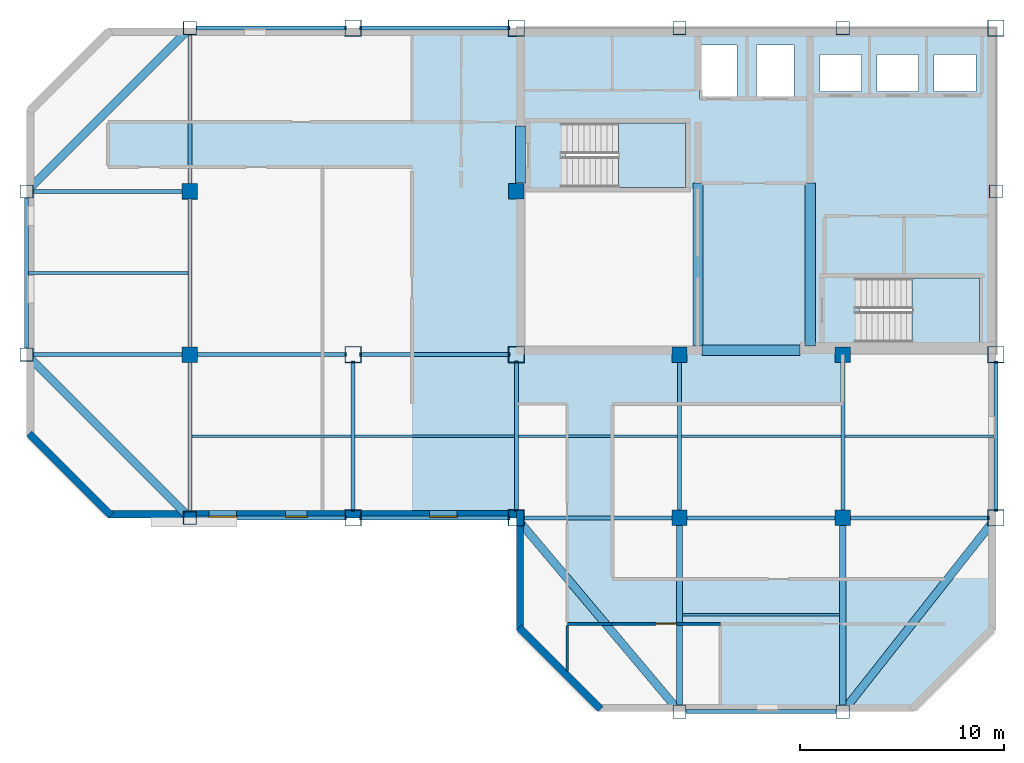
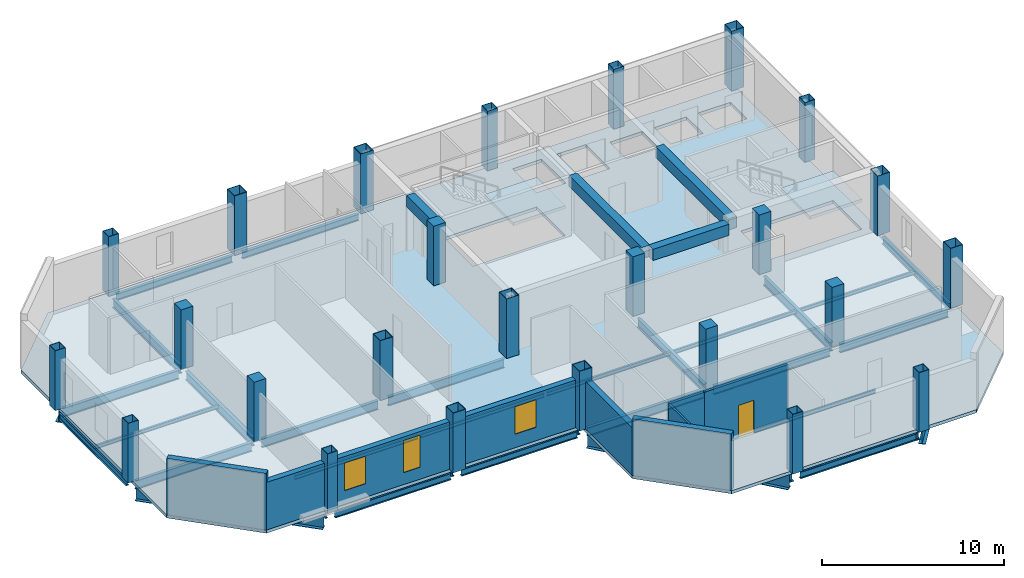
# One storey, part 1 of 7: 38 beams, 25 columns, 7 walls, 3 slabs, 3 windows, 1 door, 4 openings, 2 elements without a shape of their own.
"""IFC4 building model written with IfcOpenShell, lengths in metres."""

import ifcopenshell
import ifcopenshell.guid

model = None  # the IFC model being written
_history = None  # IfcOwnerHistory: only IFC2X3 demands one
_inside = {}  # id of a spatial element -> (the spatial element, [elements in it])
_under = {}  # id of a project, library or spatial element -> (it, [spatial elements below it])
_declared = {}  # id of a project -> (the project, [libraries it declares])
_typed = {}  # id of a type object -> (the type object, [elements of that type])
_made_of = {}  # id of a material, layer set ... -> (it, [elements and type objects made of it])


def new_model(schema):
    """Start an empty IFC model of exactly this schema.

    Asked for "IFC4X3", IfcOpenShell would pick the latest addendum, in which some entities
    have other attributes; the version numbers below select the first issue.
    IFC2X3 requires an IfcOwnerHistory on every rooted entity: one is made here for all.
    """
    global model, _history
    if schema == "IFC4X3":
        model = ifcopenshell.file(schema_version=(4, 3, 0, 0))
    else:
        model = ifcopenshell.file(schema=schema)
    _inside.clear()
    _under.clear()
    _declared.clear()
    _typed.clear()
    _made_of.clear()
    _history = None
    if model.schema == "IFC2X3":
        org = make("IfcOrganization", Name="unknown")
        user = make(
            "IfcPersonAndOrganization",
            ThePerson=make("IfcPerson", FamilyName="unknown"),
            TheOrganization=org,
        )
        app = make(
            "IfcApplication",
            ApplicationDeveloper=org,
            Version="unknown",
            ApplicationFullName="unknown",
            ApplicationIdentifier="unknown",
        )
        _history = make(
            "IfcOwnerHistory",
            OwningUser=user,
            OwningApplication=app,
            ChangeAction="ADDED",
            CreationDate=0,
        )
    return model


def make(cls, **values):
    """One entity of the class cls with the attributes given. An attribute that is None is left unset."""
    return model.create_entity(
        cls, **{name: value for name, value in values.items() if value is not None}
    )


def rooted(cls, **values):
    """An entity with a GlobalId (a new one), such as an element, a storey or a relation."""
    return make(cls, GlobalId=ifcopenshell.guid.new(), OwnerHistory=_history, **values)


def si_unit(unit_type, name, prefix=None):
    """IfcSIUnit, for example si_unit("LENGTHUNIT", "METRE", prefix="MILLI")."""
    return make("IfcSIUnit", UnitType=unit_type, Prefix=prefix, Name=name)


def assignment(units):
    """IfcUnitAssignment: the units of a project."""
    return None if units is None else make("IfcUnitAssignment", Units=units)


def point(xyz):
    """IfcCartesianPoint."""
    return None if xyz is None else make("IfcCartesianPoint", Coordinates=xyz)


def direction(xyz):
    """IfcDirection."""
    return None if xyz is None else make("IfcDirection", DirectionRatios=xyz)


def frame(location, z_axis=None, x_axis=None):
    """IfcAxis2Placement3D, a coordinate frame: its origin and axes. An axis left out is left unset."""
    return make(
        "IfcAxis2Placement3D",
        Location=point(location),
        Axis=direction(z_axis),
        RefDirection=direction(x_axis),
    )


def frame_2d(location, x_axis=None):
    """IfcAxis2Placement2D, a coordinate frame in the plane: its origin and x axis."""
    return make(
        "IfcAxis2Placement2D", Location=point(location), RefDirection=direction(x_axis)
    )


def origin():
    """The frame at (0, 0, 0) with its axes left unset."""
    return frame((0.0, 0.0, 0.0))


def origin_2d():
    """The frame at (0, 0) in the plane with its x axis left unset."""
    return frame_2d((0.0, 0.0))


def place(relative_to, where):
    """IfcLocalPlacement: puts the frame where relative to a parent placement (None: the world)."""
    return make(
        "IfcLocalPlacement", PlacementRelTo=relative_to, RelativePlacement=where
    )


def context(
    kind, dimensions, precision=None, world=None, true_north=None, identifier=None
):
    """IfcGeometricRepresentationContext, for example the 3D "Model" context."""
    return make(
        "IfcGeometricRepresentationContext",
        ContextIdentifier=identifier,
        ContextType=kind,
        CoordinateSpaceDimension=dimensions,
        Precision=precision,
        WorldCoordinateSystem=world,
        TrueNorth=true_north,
    )


def subcontext(parent, identifier, kind, view, scale=None):
    """IfcGeometricRepresentationSubContext, for example "Body" below "Model"."""
    return make(
        "IfcGeometricRepresentationSubContext",
        ContextIdentifier=identifier,
        ContextType=kind,
        ParentContext=parent,
        TargetScale=scale,
        TargetView=view,
    )


def project(units=None, contexts=None):
    """IfcProject with its units and contexts."""
    return rooted(
        "IfcProject",
        Name="project",
        RepresentationContexts=contexts,
        UnitsInContext=assignment(units),
    )


def spatial(cls, under=None, at=None, **own):
    """A site, building, storey or space (cls), placed at a placement, below another one or the project."""
    s = rooted(cls, ObjectPlacement=at, **own)
    if under is not None:
        _under.setdefault(under.id(), (under, []))[1].append(s)
    return s


def polyline(points):
    """IfcPolyline through the points."""
    return make("IfcPolyline", Points=[point(p) for p in points])


def profile(cls, at=None, kind="AREA", **sizes):
    """A parametric profile (cls). Its sizes go by their IFC names, for example OverallWidth=200.0."""
    return make(cls, ProfileType=kind, Position=at, **sizes)


def rectangle(**sizes):
    """IfcRectangleProfileDef."""
    return profile("IfcRectangleProfileDef", **sizes)


def hollow_rectangle(**sizes):
    """IfcRectangleHollowProfileDef."""
    return profile("IfcRectangleHollowProfileDef", **sizes)


def i_section(**sizes):
    """IfcIShapeProfileDef."""
    return profile("IfcIShapeProfileDef", **sizes)


def outline(outer, holes=None, kind="AREA"):
    """IfcArbitraryClosedProfileDef: a profile drawn as a closed curve; with holes, ...WithVoids."""
    if holes is None:
        return make("IfcArbitraryClosedProfileDef", ProfileType=kind, OuterCurve=outer)
    return make(
        "IfcArbitraryProfileDefWithVoids",
        ProfileType=kind,
        OuterCurve=outer,
        InnerCurves=holes,
    )


def extrude(swept, where, along, depth):
    """IfcExtrudedAreaSolid: the profile swept, set in the frame where, extruded along a direction by depth."""
    return make(
        "IfcExtrudedAreaSolid",
        SweptArea=swept,
        Position=where,
        ExtrudedDirection=direction(along),
        Depth=depth,
    )


def shape(context_of_items, identifier, shape_type, items):
    """IfcShapeRepresentation: the items that make up one representation, for example the "Body"."""
    return make(
        "IfcShapeRepresentation",
        ContextOfItems=context_of_items,
        RepresentationIdentifier=identifier,
        RepresentationType=shape_type,
        Items=items,
    )


def material(Name=None, Category=None):
    """IfcMaterial."""
    return make("IfcMaterial", Name=Name, Category=Category)


def layer(
    of_material, thickness, ventilated=None, Name=None, Category=None, Priority=None
):
    """IfcMaterialLayer: one layer of a wall or slab, of a material (None: an air gap)."""
    return make(
        "IfcMaterialLayer",
        Material=of_material,
        LayerThickness=thickness,
        IsVentilated=ventilated,
        Name=Name,
        Category=Category,
        Priority=Priority,
    )


def layer_set(layers, Name=None):
    """IfcMaterialLayerSet."""
    return make("IfcMaterialLayerSet", MaterialLayers=layers, LayerSetName=Name)


def material_profile(
    of_material, cross_section, Name=None, Category=None, Priority=None
):
    """IfcMaterialProfile: a cross section and its material."""
    return make(
        "IfcMaterialProfile",
        Name=Name,
        Material=of_material,
        Profile=cross_section,
        Priority=Priority,
        Category=Category,
    )


def profile_set(profiles, Name=None, composite=None):
    """IfcMaterialProfileSet."""
    return make(
        "IfcMaterialProfileSet",
        Name=Name,
        MaterialProfiles=profiles,
        CompositeProfile=composite,
    )


def made_of(thing, what):
    """Note that an element or type object is made of a material, layer set ...; save() writes the relation."""
    if what is not None:
        _made_of.setdefault(what.id(), (what, []))[1].append(thing)
    return thing


def type_object(cls, material=None, **own):
    """A type object (cls), such as IfcWallType, which elements share."""
    return made_of(rooted(cls, **own), material)


def element(
    cls,
    number,
    at=None,
    inside=None,
    cuts=None,
    type_object=None,
    material=None,
    context=None,
    identifier="Body",
    shape_type=None,
    held_by="IfcProductDefinitionShape",
    body=None,
    shapes=None,
    **own,
):
    """One element of the class cls, such as IfcWall. Its Tag is "e" and its number.

    at: its placement. inside: the storey or other place that contains it. cuts: it is an
    opening in that element (IfcRelVoidsElement). A single representation is given by context,
    identifier, shape_type and body (its items); several are given by shapes. held_by: the class
    of the entity that holds the representations. save() writes the other relations.
    """
    e = rooted(cls, Tag="e%d" % number, ObjectPlacement=at, **own)
    if body is not None:
        shapes = [shape(context, identifier, shape_type, body)]
    if shapes is not None:
        e.Representation = make(held_by, Representations=shapes)
    if inside is not None:
        _inside.setdefault(inside.id(), (inside, []))[1].append(e)
    if cuts is not None:
        rooted(
            "IfcRelVoidsElement", RelatingBuildingElement=cuts, RelatedOpeningElement=e
        )
    if type_object is not None:
        _typed.setdefault(type_object.id(), (type_object, []))[1].append(e)
    return made_of(e, material)


def fill(opening, filler):
    """IfcRelFillsElement: the door or window that sits in an opening."""
    return rooted(
        "IfcRelFillsElement",
        RelatingOpeningElement=opening,
        RelatedBuildingElement=filler,
    )


def aggregate(whole, parts):
    """IfcRelAggregates: a whole, such as a stair, and the parts it consists of."""
    return rooted("IfcRelAggregates", RelatingObject=whole, RelatedObjects=parts)


def save(model, path):
    """Write the relations noted so far, then the file.

    IfcRelAggregates (storeys below a building ...), IfcRelContainedInSpatialStructure (elements
    in a storey), IfcRelDefinesByType, IfcRelAssociatesMaterial and IfcRelDeclares: one each for
    every whole, place, type object, material and project.
    """
    for whole, parts in _under.values():
        aggregate(whole, parts)
    for where, things in _inside.values():
        rooted(
            "IfcRelContainedInSpatialStructure",
            RelatedElements=things,
            RelatingStructure=where,
        )
    for kind, things in _typed.values():
        rooted("IfcRelDefinesByType", RelatedObjects=things, RelatingType=kind)
    for what, things in _made_of.values():
        rooted("IfcRelAssociatesMaterial", RelatedObjects=things, RelatingMaterial=what)
    for by, libraries in _declared.values():
        rooted("IfcRelDeclares", RelatingContext=by, RelatedDefinitions=libraries)
    model.write(path)


model = new_model("IFC4")

# Units and contexts
model_context = context("Model", 3, precision=1e-05, world=origin(), true_north=direction((0.0, 1.0)))
body_context = subcontext(model_context, "Body", "Model", "MODEL_VIEW")
ifc_project = project(units=[si_unit("LENGTHUNIT", "METRE"), si_unit("AREAUNIT", "SQUARE_METRE"), si_unit("VOLUMEUNIT", "CUBIC_METRE"), si_unit("PLANEANGLEUNIT", "RADIAN"), si_unit("MASSUNIT", "GRAM", prefix="KILO")], contexts=[model_context])

# Site, building, storey
site_placement = place(None, origin())
site = spatial("IfcSite", under=ifc_project, at=site_placement, CompositionType="ELEMENT")
building_placement = place(site_placement, origin())
building = spatial("IfcBuilding", under=site, at=building_placement, Name="Qianrong Seaharbour Tower", CompositionType="ELEMENT")
storey_placement = place(building_placement, frame((0.0, 0.0, 315.199951171875)))
storey = spatial("IfcBuildingStorey", under=building, at=storey_placement, Name="L76", CompositionType="ELEMENT", Elevation=315.199951171875)

# Columns
ifc_material_1 = material(Name="Structural steel SN490B", Category="steel")
ifc_material_profile_1 = material_profile(ifc_material_1, hollow_rectangle(XDim=0.800048828125, YDim=0.800048828125, WallThickness=0.031982421875, at=origin_2d()), Name="BOX800x800x32")
ifc_profile_set_1 = profile_set([ifc_material_profile_1], Name="Structural steel SN490B")
column_type_1 = type_object("IfcColumnType", Name="COL-CFT-800", PredefinedType="COLUMN", material=ifc_profile_set_1)
for number, where, z_axis, x_axis, name in (
    (1, (32.5, 28.0, 0.0), (0.0, 0.0, 1.0), (1.0, 0.0, 0.0), "L76 Column MC-5 at G5/GE"),
    (2, (32.5, 36.0, 0.0), (0.0, 0.0, 1.0), (1.0, 0.0, 0.0), "L76 Column MC-5 at G5/GF"),
    (3, (32.5, 52.0, 0.0), (0.0, 0.0, 1.0), (1.0, 0.0, 0.0), "L76 Column MC-5 at G5/GH"),
    (4, (40.5, 28.0, 0.0), (0.0, 0.0, 1.0), (1.0, 0.0, 0.0), "L76 Column MC-5 at G6/GE"),
    (5, (40.5, 36.0, 0.0), (0.0, 0.0, 1.0), (1.0, 0.0, 0.0), "L76 Column MC-5 at G6/GF"),
    (6, (40.5, 52.0, 0.0), (0.0, 0.0, 1.0), (1.0, 0.0, 0.0), "L76 Column MC-5 at G6/GH"),
    (7, (64.0, 28.0, 0.0), (0.0, 0.0, 1.0), (1.0, 0.0, 0.0), "L76 Column MC-5 at G9/GE"),
    (8, (64.0, 36.0, 0.0), (0.0, 0.0, 1.0), (1.0, 0.0, 0.0), "L76 Column MC-5 at G9/GF"),
    (9, (64.0, 52.0, 0.0), (0.0, 0.0, 1.0), (1.0, 0.0, 0.0), "L76 Column MC-5 at G9/GH"),
):
    element("IfcColumn", number, at=place(storey_placement, frame(where, z_axis=z_axis, x_axis=x_axis)), inside=storey, type_object=column_type_1, Name=name, PredefinedType="COLUMN", context=body_context, shape_type="SweptSolid", body=[
        extrude(hollow_rectangle(XDim=0.800048828125, YDim=0.800048828125, WallThickness=0.031982421875, at=origin_2d()), origin(), (0.0, 0.0, 1.0), 4.0),
    ])
ifc_material_2 = material(Name="Concrete C50/60", Category="concrete")
ifc_material_profile_2 = material_profile(ifc_material_2, rectangle(XDim=0.75, YDim=0.75, at=origin_2d()), Name="RC750x750")
ifc_profile_set_2 = profile_set([ifc_material_profile_2], Name="Concrete C50/60")
column_type_2 = type_object("IfcColumnType", Name="COL-INT-RC750", PredefinedType="COLUMN", material=ifc_profile_set_2)
for number, where, z_axis, x_axis, name in (
    (10, (24.5, 36.0, 0.0), (0.0, 0.0, 1.0), (1.0, 0.0, 0.0), "L76 Column IC-4 at G4/GF"),
    (11, (24.5, 44.0, 0.0), (0.0, 0.0, 1.0), (1.0, 0.0, 0.0), "L76 Column IC-4 at G4/GG"),
    (12, (40.5, 44.0, 0.0), (0.0, 0.0, 1.0), (1.0, 0.0, 0.0), "L76 Column IC-4 at G6/GG"),
    (13, (48.5, 28.0, 0.0), (0.0, 0.0, 1.0), (1.0, 0.0, 0.0), "L76 Column IC-4 at G7/GE"),
    (14, (48.5, 36.0, 0.0), (0.0, 0.0, 1.0), (1.0, 0.0, 0.0), "L76 Column IC-4 at G7/GF"),
    (15, (56.5, 28.0, 0.0), (0.0, 0.0, 1.0), (1.0, 0.0, 0.0), "L76 Column IC-4 at G8/GE"),
    (16, (56.5, 36.0, 0.0), (0.0, 0.0, 1.0), (1.0, 0.0, 0.0), "L76 Column IC-4 at G8/GF"),
):
    element("IfcColumn", number, at=place(storey_placement, frame(where, z_axis=z_axis, x_axis=x_axis)), inside=storey, type_object=column_type_2, Name=name, PredefinedType="COLUMN", context=body_context, shape_type="SweptSolid", body=[
        extrude(rectangle(XDim=0.75, YDim=0.75, at=origin_2d()), origin(), (0.0, 0.0, 1.0), 4.0),
    ])
ifc_material_3 = material(Name="Structural steel SN400B", Category="steel")
ifc_material_profile_3 = material_profile(ifc_material_3, hollow_rectangle(XDim=0.64990234375, YDim=0.64990234375, WallThickness=0.028076171875, at=origin_2d()), Name="BOX650x650x28")
ifc_profile_set_3 = profile_set([ifc_material_profile_3], Name="Structural steel SN400B")
column_type_3 = type_object("IfcColumnType", Name="COL-PER-650", PredefinedType="COLUMN", material=ifc_profile_set_3)
for number, where, z_axis, x_axis, name in (
    (17, (16.5, 36.0, 0.0), (0.0, 0.0, 1.0), (1.0, 0.0, 0.0), "L76 Column PC-4 at G3/GF"),
    (18, (16.5, 44.0, 0.0), (0.0, 0.0, 1.0), (1.0, 0.0, 0.0), "L76 Column PC-4 at G3/GG"),
    (19, (24.5, 28.0, 0.0), (0.0, 0.0, 1.0), (1.0, 0.0, 0.0), "L76 Column PC-4 at G4/GE"),
    (20, (24.5, 52.0, 0.0), (0.0, 0.0, 1.0), (1.0, 0.0, 0.0), "L76 Column PC-4 at G4/GH"),
    (21, (48.5, 18.5, 0.0), (0.0, 0.0, 1.0), (1.0, 0.0, 0.0), "L76 Column PC-4 at G7/GD"),
    (22, (48.5, 52.0, 0.0), (0.0, 0.0, 1.0), (1.0, 0.0, 0.0), "L76 Column PC-4 at G7/GH"),
    (23, (56.5, 18.5, 0.0), (0.0, 0.0, 1.0), (1.0, 0.0, 0.0), "L76 Column PC-4 at G8/GD"),
    (24, (56.5, 52.0, 0.0), (0.0, 0.0, 1.0), (1.0, 0.0, 0.0), "L76 Column PC-4 at G8/GH"),
    (25, (64.0, 44.0, 0.0), (0.0, 0.0, 1.0), (1.0, 0.0, 0.0), "L76 Column PC-4 at G9/GG"),
):
    element("IfcColumn", number, at=place(storey_placement, frame(where, z_axis=z_axis, x_axis=x_axis)), inside=storey, type_object=column_type_3, Name=name, PredefinedType="COLUMN", context=body_context, shape_type="SweptSolid", body=[
        extrude(hollow_rectangle(XDim=0.64990234375, YDim=0.64990234375, WallThickness=0.028076171875, at=origin_2d()), origin(), (0.0, 0.0, 1.0), 4.0),
    ])

# Beams
ifc_material_profile_4 = material_profile(ifc_material_1, i_section(OverallWidth=0.199951171875, OverallDepth=0.60009765625, WebThickness=0.010986328125, FlangeThickness=0.01708984375, FilletRadius=0.02197265625, at=origin_2d()), Name="H600x200x11x17")
ifc_profile_set_4 = profile_set([ifc_material_profile_4], Name="Structural steel SN490B")
beam_type_1 = type_object("IfcBeamType", Name="BM-G-600", PredefinedType="BEAM", material=ifc_profile_set_4)
for number, where, z_axis, x_axis, name in (
    (26, (40.820068359375, 28.0, -0.514892578125), (1.0, 0.0, 0.0), (0.0, 1.0, 0.0), "L76 Primary Girder GE G6-G7"),
    (27, (48.820068359375, 28.0, -0.514892578125), (1.0, 0.0, 0.0), (0.0, 1.0, 0.0), "L76 Primary Girder GE G7-G8"),
):
    element("IfcBeam", number, at=place(storey_placement, frame(where, z_axis=z_axis, x_axis=x_axis)), inside=storey, type_object=beam_type_1, Name=name, PredefinedType="BEAM", context=body_context, shape_type="SweptSolid", body=[
        extrude(i_section(OverallWidth=0.199951171875, OverallDepth=0.60009765625, WebThickness=0.010986328125, FlangeThickness=0.01708984375, FilletRadius=0.02197265625, at=origin_2d()), origin(), (0.0, 0.0, 1.0), 7.35986328125),
    ])
beam_1_placement = place(storey_placement, frame((56.820068359375, 28.0, -0.514892578125), z_axis=(1.0, 0.0, 0.0), x_axis=(0.0, 1.0, 0.0)))
element("IfcBeam", 28, at=beam_1_placement, inside=storey, type_object=beam_type_1, Name="L76 Primary Girder GE G8-G9", PredefinedType="BEAM", context=body_context, shape_type="SweptSolid", body=[
    extrude(i_section(OverallWidth=0.199951171875, OverallDepth=0.60009765625, WebThickness=0.010986328125, FlangeThickness=0.01708984375, FilletRadius=0.02197265625, at=origin_2d()), origin(), (0.0, 0.0, 1.0), 6.85986328125),
])
for number, where, z_axis, x_axis, name in (
    (29, (16.820068359375, 36.0, -0.514892578125), (1.0, 0.0, 0.0), (0.0, 1.0, 0.0), "L76 Primary Girder GF G3-G4"),
    (30, (24.820068359375, 36.0, -0.514892578125), (1.0, 0.0, 0.0), (0.0, 1.0, 0.0), "L76 Primary Girder GF G4-G5"),
    (31, (32.820068359375, 36.0, -0.514892578125), (1.0, 0.0, 0.0), (0.0, 1.0, 0.0), "L76 Primary Girder GF G5-G6"),
    (32, (16.820068359375, 44.0, -0.514892578125), (1.0, 0.0, 0.0), (0.0, 1.0, 0.0), "L76 Primary Girder GG G3-G4"),
    (33, (24.5, 28.320068359375, -0.514892578125), (0.0, 1.0, 0.0), (-1.0, 0.0, 0.0), "L76 Primary Girder G4 GE-GF"),
    (34, (24.5, 36.320068359375, -0.514892578125), (0.0, 1.0, 0.0), (-1.0, 0.0, 0.0), "L76 Primary Girder G4 GF-GG"),
    (35, (24.5, 44.320068359375, -0.514892578125), (0.0, 1.0, 0.0), (-1.0, 0.0, 0.0), "L76 Primary Girder G4 GG-GH"),
    (36, (32.5, 28.320068359375, -0.514892578125), (0.0, 1.0, 0.0), (-1.0, 0.0, 0.0), "L76 Primary Girder G5 GE-GF"),
    (37, (40.5, 28.320068359375, -0.514892578125), (0.0, 1.0, 0.0), (-1.0, 0.0, 0.0), "L76 Primary Girder G6 GE-GF"),
    (38, (48.5, 28.320068359375, -0.514892578125), (0.0, 1.0, 0.0), (-1.0, 0.0, 0.0), "L76 Primary Girder G7 GE-GF"),
    (39, (56.5, 28.320068359375, -0.514892578125), (0.0, 1.0, 0.0), (-1.0, 0.0, 0.0), "L76 Primary Girder G8 GE-GF"),
):
    element("IfcBeam", number, at=place(storey_placement, frame(where, z_axis=z_axis, x_axis=x_axis)), inside=storey, type_object=beam_type_1, Name=name, PredefinedType="BEAM", context=body_context, shape_type="SweptSolid", body=[
        extrude(i_section(OverallWidth=0.199951171875, OverallDepth=0.60009765625, WebThickness=0.010986328125, FlangeThickness=0.01708984375, FilletRadius=0.02197265625, at=origin_2d()), origin(), (0.0, 0.0, 1.0), 7.35986328125),
    ])
ifc_material_profile_5 = material_profile(ifc_material_1, i_section(OverallWidth=0.300048828125, OverallDepth=0.800048828125, WebThickness=0.013916015625, FlangeThickness=0.02587890625, FilletRadius=0.028076171875, at=origin_2d()), Name="H800x300x14x26")
ifc_profile_set_5 = profile_set([ifc_material_profile_5], Name="Structural steel SN490B")
beam_type_2 = type_object("IfcBeamType", Name="BM-G-800", PredefinedType="BEAM", material=ifc_profile_set_5)
for number, where, z_axis, x_axis, name in (
    (40, (48.5, 18.820068359375, -0.614990234375), (0.0, 1.0, 0.0), (-1.0, 0.0, 0.0), "L76 Primary Girder G7 GD-GE"),
    (41, (56.5, 18.820068359375, -0.614990234375), (0.0, 1.0, 0.0), (-1.0, 0.0, 0.0), "L76 Primary Girder G8 GD-GE"),
):
    element("IfcBeam", number, at=place(storey_placement, frame(where, z_axis=z_axis, x_axis=x_axis)), inside=storey, type_object=beam_type_2, Name=name, PredefinedType="BEAM", context=body_context, shape_type="SweptSolid", body=[
        extrude(i_section(OverallWidth=0.300048828125, OverallDepth=0.800048828125, WebThickness=0.013916015625, FlangeThickness=0.02587890625, FilletRadius=0.028076171875, at=origin_2d()), origin(), (0.0, 0.0, 1.0), 8.85986328125),
    ])
ifc_material_profile_6 = material_profile(ifc_material_3, i_section(OverallWidth=0.125, OverallDepth=0.25, WebThickness=0.006103515625, FlangeThickness=0.009033203125, FilletRadius=0.011962890625, at=origin_2d()), Name="H250x125x6x9")
ifc_profile_set_6 = profile_set([ifc_material_profile_6], Name="Structural steel SN400B")
beam_type_3 = type_object("IfcBeamType", Name="BM-J-250", PredefinedType="JOIST", material=ifc_profile_set_6)
for number, where, z_axis, x_axis, name in (
    (42, (16.60009765625, 40.0, -0.33984375), (1.0, 0.0, 0.0), (0.0, 1.0, 0.0), "L76 Composite Floor Joist G3-G4/GF-GG"),
    (43, (24.60009765625, 32.0, -0.33984375), (1.0, 0.0, 0.0), (0.0, 1.0, 0.0), "L76 Composite Floor Joist G4-G5/GE-GF"),
    (44, (32.60009765625, 32.0, -0.33984375), (1.0, 0.0, 0.0), (0.0, 1.0, 0.0), "L76 Composite Floor Joist G5-G6/GE-GF"),
    (45, (40.60009765625, 32.0, -0.33984375), (1.0, 0.0, 0.0), (0.0, 1.0, 0.0), "L76 Composite Floor Joist G6-G7/GE-GF"),
):
    element("IfcBeam", number, at=place(storey_placement, frame(where, z_axis=z_axis, x_axis=x_axis)), inside=storey, type_object=beam_type_3, Name=name, PredefinedType="JOIST", context=body_context, shape_type="SweptSolid", body=[
        extrude(i_section(OverallWidth=0.125, OverallDepth=0.25, WebThickness=0.006103515625, FlangeThickness=0.009033203125, FilletRadius=0.011962890625, at=origin_2d()), origin(), (0.0, 0.0, 1.0), 7.7998046875),
    ])
beam_2_placement = place(storey_placement, frame((48.64990234375, 23.25, -0.33984375), z_axis=(1.0, 0.0, 0.0), x_axis=(0.0, 1.0, 0.0)))
element("IfcBeam", 46, at=beam_2_placement, inside=storey, type_object=beam_type_3, Name="L76 Composite Floor Joist G7-G8/GD-GE", PredefinedType="JOIST", context=body_context, shape_type="SweptSolid", body=[
    extrude(i_section(OverallWidth=0.125, OverallDepth=0.25, WebThickness=0.006103515625, FlangeThickness=0.009033203125, FilletRadius=0.011962890625, at=origin_2d()), origin(), (0.0, 0.0, 1.0), 7.7001953125),
])
beam_3_placement = place(storey_placement, frame((48.60009765625, 32.0, -0.33984375), z_axis=(1.0, 0.0, 0.0), x_axis=(0.0, 1.0, 0.0)))
element("IfcBeam", 47, at=beam_3_placement, inside=storey, type_object=beam_type_3, Name="L76 Composite Floor Joist G7-G8/GE-GF", PredefinedType="JOIST", context=body_context, shape_type="SweptSolid", body=[
    extrude(i_section(OverallWidth=0.125, OverallDepth=0.25, WebThickness=0.006103515625, FlangeThickness=0.009033203125, FilletRadius=0.011962890625, at=origin_2d()), origin(), (0.0, 0.0, 1.0), 7.7998046875),
])
beam_4_placement = place(storey_placement, frame((56.60009765625, 32.0, -0.33984375), z_axis=(1.0, 0.0, 0.0), x_axis=(0.0, 1.0, 0.0)))
element("IfcBeam", 48, at=beam_4_placement, inside=storey, type_object=beam_type_3, Name="L76 Composite Floor Joist G8-G9/GE-GF", PredefinedType="JOIST", context=body_context, shape_type="SweptSolid", body=[
    extrude(i_section(OverallWidth=0.125, OverallDepth=0.25, WebThickness=0.006103515625, FlangeThickness=0.009033203125, FilletRadius=0.011962890625, at=origin_2d()), origin(), (0.0, 0.0, 1.0), 7.2998046875),
])
ifc_material_4 = material(Name="Concrete C60/75", Category="concrete")
ifc_material_profile_7 = material_profile(ifc_material_4, rectangle(XDim=0.5, YDim=0.75, at=origin_2d()), Name="RC500x750")
ifc_profile_set_7 = profile_set([ifc_material_profile_7], Name="Concrete C60/75")
beam_type_4 = type_object("IfcBeamType", Name="BM-LINTEL-750", PredefinedType="LINTEL", material=ifc_profile_set_7)
beam_5_placement = place(storey_placement, frame((40.7099609375, 44.39990234375, 3.41015625), z_axis=(0.0, 1.0, 0.0), x_axis=(-1.0, 0.0, 0.0)))
element("IfcBeam", 49, at=beam_5_placement, inside=storey, type_object=beam_type_4, Name="L76 Core Coupling Lintel Beam West", PredefinedType="LINTEL", context=body_context, shape_type="SweptSolid", body=[
    extrude(rectangle(XDim=0.5, YDim=0.75, at=origin_2d()), origin(), (0.0, 0.0, 1.0), 2.800048828125),
])
beam_6_placement = place(storey_placement, frame((49.60009765625, 36.2099609375, 3.41015625), z_axis=(1.0, 0.0, 0.0), x_axis=(0.0, 1.0, 0.0)))
element("IfcBeam", 50, at=beam_6_placement, inside=storey, type_object=beam_type_4, Name="L76 Core Coupling Lintel Beam CBC", PredefinedType="LINTEL", context=body_context, shape_type="SweptSolid", body=[
    extrude(rectangle(XDim=0.5, YDim=0.75, at=origin_2d()), origin(), (0.0, 0.0, 1.0), 4.7998046875),
])
for number, where, z_axis, x_axis, name in (
    (51, (49.39990234375, 36.419921875, 3.41015625), (0.0, 1.0, 0.0), (-1.0, 0.0, 0.0), "L76 Internal Core Coupling Beam IW1"),
    (52, (54.89990234375, 36.419921875, 3.41015625), (0.0, 1.0, 0.0), (-1.0, 0.0, 0.0), "L76 Internal Core Coupling Beam IW2"),
):
    element("IfcBeam", number, at=place(storey_placement, frame(where, z_axis=z_axis, x_axis=x_axis)), inside=storey, type_object=beam_type_4, Name=name, PredefinedType="LINTEL", context=body_context, shape_type="SweptSolid", body=[
        extrude(rectangle(XDim=0.5, YDim=0.75, at=origin_2d()), origin(), (0.0, 0.0, 1.0), 7.97998046875),
    ])
ifc_material_profile_8 = material_profile(ifc_material_3, i_section(OverallWidth=0.199951171875, OverallDepth=0.449951171875, WebThickness=0.009033203125, FlangeThickness=0.013916015625, FilletRadius=0.01806640625, at=origin_2d()), Name="H450x200x9x14")
ifc_profile_set_8 = profile_set([ifc_material_profile_8], Name="Structural steel SN400B")
beam_type_5 = type_object("IfcBeamType", Name="BM-SP-450", PredefinedType="SPANDREL", material=ifc_profile_set_8)
for number, where, z_axis, x_axis, name in (
    (53, (48.820068359375, 18.5, -0.43994140625), (1.0, 0.0, 0.0), (0.0, 1.0, 0.0), "L76 Spandrel Girder GD G7-G8"),
    (54, (24.820068359375, 28.0, -0.43994140625), (1.0, 0.0, 0.0), (0.0, 1.0, 0.0), "L76 Spandrel Girder GE G4-G5"),
    (55, (32.820068359375, 28.0, -0.43994140625), (1.0, 0.0, 0.0), (0.0, 1.0, 0.0), "L76 Spandrel Girder GE G5-G6"),
    (56, (24.820068359375, 52.0, -0.43994140625), (1.0, 0.0, 0.0), (0.0, 1.0, 0.0), "L76 Spandrel Girder GH G4-G5"),
    (57, (32.820068359375, 52.0, -0.43994140625), (1.0, 0.0, 0.0), (0.0, 1.0, 0.0), "L76 Spandrel Girder GH G5-G6"),
    (58, (16.5, 36.320068359375, -0.43994140625), (0.0, 1.0, 0.0), (-1.0, 0.0, 0.0), "L76 Spandrel Girder G3 GF-GG"),
    (59, (64.0, 28.320068359375, -0.43994140625), (0.0, 1.0, 0.0), (-1.0, 0.0, 0.0), "L76 Spandrel Girder G9 GE-GF"),
):
    element("IfcBeam", number, at=place(storey_placement, frame(where, z_axis=z_axis, x_axis=x_axis)), inside=storey, type_object=beam_type_5, Name=name, PredefinedType="SPANDREL", context=body_context, shape_type="SweptSolid", body=[
        extrude(i_section(OverallWidth=0.199951171875, OverallDepth=0.449951171875, WebThickness=0.009033203125, FlangeThickness=0.013916015625, FilletRadius=0.01806640625, at=origin_2d()), origin(), (0.0, 0.0, 1.0), 7.35986328125),
    ])
ifc_material_profile_9 = material_profile(ifc_material_1, i_section(OverallWidth=0.39990234375, OverallDepth=1.10009765625, WebThickness=0.02001953125, FlangeThickness=0.035888671875, at=origin_2d()), Name="BH1100x400x20x36")
ifc_profile_set_9 = profile_set([ifc_material_profile_9], Name="Structural steel SN490B")
beam_type_6 = type_object("IfcBeamType", Name="BM-TG-1100", PredefinedType="BEAM", material=ifc_profile_set_9)
for number, where, z_axis, x_axis, name in (
    (60, (24.273681640625, 28.226318359375, -0.764892578125), (-0.707106781187, 0.707106781187, 0.0), (-0.707106781187, -0.707106781187, 0.0), "L76 Chamfer Corner Spandrel Girder G3/GE"),
    (61, (24.273681640625, 51.773681640625, -0.764892578125), (-0.707106781187, -0.707106781187, 0.0), (0.707106781187, -0.707106781187, 0.0), "L76 Chamfer Corner Spandrel Girder G3/GH"),
):
    element("IfcBeam", number, at=place(storey_placement, frame(where, z_axis=z_axis, x_axis=x_axis)), inside=storey, type_object=beam_type_6, Name=name, PredefinedType="BEAM", context=body_context, shape_type="SweptSolid", body=[
        extrude(i_section(OverallWidth=0.39990234375, OverallDepth=1.10009765625, WebThickness=0.02001953125, FlangeThickness=0.035888671875, at=origin_2d()), origin(), (0.0, 0.0, 1.0), 10.673583984375),
    ])
beam_7_placement = place(storey_placement, frame((48.2939453125, 18.744873046875, -0.764892578125), z_axis=(-0.644151063101, 0.764898299061, 0.0), x_axis=(-0.764898299061, -0.644151063101, 0.0)))
element("IfcBeam", 62, at=beam_7_placement, inside=storey, type_object=beam_type_6, Name="L76 Chamfer Corner Spandrel Girder G6/GD", PredefinedType="BEAM", context=body_context, shape_type="SweptSolid", body=[
    extrude(i_section(OverallWidth=0.39990234375, OverallDepth=1.10009765625, WebThickness=0.02001953125, FlangeThickness=0.035888671875, at=origin_2d()), origin(), (0.0, 0.0, 1.0), 11.77978515625),
])
beam_8_placement = place(storey_placement, frame((56.6982421875, 18.751220703125, -0.764892578125), z_axis=(0.619653955715, 0.784875133487, 0.0), x_axis=(-0.784875133487, 0.619653955715, 0.0)))
element("IfcBeam", 63, at=beam_8_placement, inside=storey, type_object=beam_type_6, Name="L76 Chamfer Corner Spandrel Girder G9/GD", PredefinedType="BEAM", context=body_context, shape_type="SweptSolid", body=[
    extrude(i_section(OverallWidth=0.39990234375, OverallDepth=1.10009765625, WebThickness=0.02001953125, FlangeThickness=0.035888671875, at=origin_2d()), origin(), (0.0, 0.0, 1.0), 11.463623046875),
])

# Stair, slab
stair_type = type_object("IfcStairType", Name="STAIR-DOGLEG-1500-R22", PredefinedType="HALF_TURN_STAIR", material=ifc_material_2)
stair_1_placement = place(storey_placement, origin())
stair_1 = element("IfcStair", 64, at=stair_1_placement, inside=storey, type_object=stair_type, Name="L76 Protected Escape Stair ST-1", PredefinedType="HALF_TURN_STAIR")
ifc_layer_1 = layer(ifc_material_2, 0.199951171875)
ifc_layer_set_1 = layer_set([ifc_layer_1], Name="Concrete C50/60")
slab_type_1 = type_object("IfcSlabType", Name="SLAB-STAIR-LANDING-200", PredefinedType="LANDING", material=ifc_layer_set_1)
slab_1_placement = place(storey_placement, frame((0.0, 0.0, 1.800048828125)))
slab_1 = element("IfcSlab", 65, at=slab_1_placement, type_object=slab_type_1, Name="ST-1 landing 1", PredefinedType="LANDING", context=body_context, shape_type="SweptSolid", body=[
    extrude(outline(polyline([(45.5, 44.199951171875), (48.800048828125, 44.199951171875), (48.800048828125, 47.35009765625), (45.5, 47.35009765625), (45.5, 44.199951171875)])), origin(), (0.0, 0.0, 1.0), 0.199951171875),
])
aggregate(stair_1, [slab_1])

stair_2_placement = place(storey_placement, origin())
stair_2 = element("IfcStair", 66, at=stair_2_placement, inside=storey, type_object=stair_type, Name="L76 Protected Escape Stair ST-2", PredefinedType="HALF_TURN_STAIR")
slab_2_placement = place(storey_placement, frame((0.0, 0.0, 1.800048828125)))
slab_2 = element("IfcSlab", 67, at=slab_2_placement, type_object=slab_type_1, Name="ST-2 landing 1", PredefinedType="LANDING", context=body_context, shape_type="SweptSolid", body=[
    extrude(outline(polyline([(59.89990234375, 36.60009765625), (63.199951171875, 36.60009765625), (63.199951171875, 39.75), (59.89990234375, 39.75), (59.89990234375, 36.60009765625)])), origin(), (0.0, 0.0, 1.0), 0.199951171875),
])
aggregate(stair_2, [slab_2])

# Slab
ifc_layer_2 = layer(ifc_material_2, 0.215087890625)
ifc_layer_set_2 = layer_set([ifc_layer_2], Name="Concrete C50/60")
slab_type_2 = type_object("IfcSlabType", Name="SLAB-Z4-215", PredefinedType="FLOOR", material=ifc_layer_set_2)
slab_3_placement = place(storey_placement, frame((0.0, 0.0, -0.21484375)))
element("IfcSlab", 68, at=slab_3_placement, inside=storey, type_object=slab_type_2, Name="L76 Structural Floor Slab", PredefinedType="FLOOR", context=body_context, shape_type="SweptSolid", body=[
    extrude(outline(polyline([(44.5, 18.5), (60.0, 18.5), (64.0, 22.5), (64.0, 52.0), (20.5, 52.0), (16.5, 48.0), (16.5, 32.0), (20.5, 28.0), (40.5, 28.0), (40.5, 22.5), (44.5, 18.5)]), holes=[polyline([(42.93994140625, 44.199951171875), (42.93994140625, 47.35009765625), (48.800048828125, 47.35009765625), (48.800048828125, 44.199951171875), (42.93994140625, 44.199951171875)]), polyline([(57.340087890625, 36.60009765625), (57.340087890625, 39.75), (63.199951171875, 39.75), (63.199951171875, 36.60009765625), (57.340087890625, 36.60009765625)]), polyline([(49.47998046875, 48.530029296875), (49.47998046875, 51.169921875), (51.320068359375, 51.169921875), (51.320068359375, 48.530029296875), (49.47998046875, 48.530029296875)]), polyline([(52.280029296875, 48.530029296875), (52.280029296875, 51.169921875), (54.1201171875, 51.169921875), (54.1201171875, 48.530029296875), (52.280029296875, 48.530029296875)]), polyline([(55.3798828125, 48.89990234375), (55.3798828125, 50.699951171875), (57.419921875, 50.699951171875), (57.419921875, 48.89990234375), (55.3798828125, 48.89990234375)]), polyline([(58.179931640625, 48.89990234375), (58.179931640625, 50.699951171875), (60.219970703125, 50.699951171875), (60.219970703125, 48.89990234375), (58.179931640625, 48.89990234375)]), polyline([(60.97998046875, 48.89990234375), (60.97998046875, 50.699951171875), (63.02001953125, 50.699951171875), (63.02001953125, 48.89990234375), (60.97998046875, 48.89990234375)])]), origin(), (0.0, 0.0, 1.0), 0.21484375),
])

# Wall
ifc_material_5 = material(Name="Fire-rated acoustic gypsum board partition")
ifc_layer_3 = layer(ifc_material_5, 0.1650390625)
ifc_layer_set_3 = layer_set([ifc_layer_3], Name="Fire-rated acoustic gypsum board partition")
wall_type_1 = type_object("IfcWallType", Name="WALL-CORR-PART-165", PredefinedType="PARTITIONING", material=ifc_layer_set_3)
wall_1_placement = place(storey_placement, frame((45.199951171875, 22.800048828125, 0.0), z_axis=(0.0, 0.0, 1.0), x_axis=(-1.0, 0.0, 0.0)))
element("IfcWall", 69, at=wall_1_placement, inside=storey, type_object=wall_type_1, Name="L76 Interior Partition Wall 028", PredefinedType="PARTITIONING", context=body_context, shape_type="SweptSolid", body=[
    extrude(rectangle(XDim=2.199951171875, YDim=0.1650390625, at=frame_2d((1.10009765625, 0.0))), origin(), (0.0, 0.0, 1.0), 3.78515625),
])

# Wall, opening, door
wall_2_placement = place(storey_placement, frame((50.5, 22.800048828125, 0.0), z_axis=(0.0, 0.0, 1.0), x_axis=(-1.0, 0.0, 0.0)))
wall_2 = element("IfcWall", 70, at=wall_2_placement, inside=storey, type_object=wall_type_1, Name="L76 Interior Partition Wall 030", PredefinedType="PARTITIONING", context=body_context, shape_type="SweptSolid", body=[
    extrude(rectangle(XDim=5.300048828125, YDim=0.1650390625, at=frame_2d((2.64990234375, 0.0))), origin(), (0.0, 0.0, 1.0), 3.78515625),
])
opening_1_placement = place(wall_2_placement, frame((2.14990234375, 0.0, 0.0)))
opening_1 = element("IfcOpeningElement", 71, at=opening_1_placement, cuts=wall_2, Name="Opening DO-01", PredefinedType="OPENING", context=body_context, shape_type="SweptSolid", body=[
    extrude(rectangle(XDim=1.0, YDim=2.14990234375, at=frame_2d((0.5, 1.074951171875))), frame((0.0, 0.092529296875, 0.0), z_axis=(0.0, -1.0, 0.0), x_axis=(1.0, 0.0, 0.0)), (0.0, 0.0, 1.0), 0.18505859375),
])
ifc_material_6 = material(Name="Acoustic timber and galvanized steel fire door assembly", Category="steel")
door_type = type_object("IfcDoorType", Name="DOOR-OFFICE-1000x2150", OperationType="NOTDEFINED", PredefinedType="DOOR", material=ifc_material_6)
door_placement = place(opening_1_placement, origin())
door = element("IfcDoor", 72, at=door_placement, inside=storey, type_object=door_type, Name="L76 Harbour Symposium Hall 1 Door", OperationType="SINGLE_SWING_RIGHT", OverallHeight=2.14990234375, OverallWidth=1.0, PredefinedType="DOOR", context=body_context, shape_type="SweptSolid", body=[
    extrude(rectangle(XDim=1.0, YDim=2.14990234375, at=frame_2d((0.5, 1.074951171875))), frame((0.0, 0.02490234375, 0.0), z_axis=(0.0, -1.0, 0.0), x_axis=(1.0, 0.0, 0.0)), (0.0, 0.0, 1.0), 0.050048828125),
])
fill(opening_1, door)

# Wall
ifc_material_7 = material(Name="Unitised red brick on Precast concrete C45/55", Category="masonry")
ifc_layer_4 = layer(ifc_material_7, 0.360107421875)
ifc_layer_set_4 = layer_set([ifc_layer_4], Name="Unitised red brick on Precast concrete C45/55")
wall_type_2 = type_object("IfcWallType", Name="WALL-EXT-BRICK-RED-360", PredefinedType="SOLIDWALL", material=ifc_layer_set_4)
wall_3_placement = place(storey_placement, frame((40.679931640625, 22.5, 0.0), z_axis=(0.0, 0.0, 1.0), x_axis=(0.0, 1.0, 0.0)))
element("IfcWall", 73, at=wall_3_placement, inside=storey, type_object=wall_type_2, Name="L76 Exterior Masonry Facade Wall REENTRANT_WEST", PredefinedType="SOLIDWALL", context=body_context, shape_type="SweptSolid", body=[
    extrude(rectangle(XDim=5.860107421875, YDim=0.360107421875, at=frame_2d((2.93017578125, 0.0))), origin(), (0.0, 0.0, 1.0), 3.18505859375),
])

# Wall, openings, windows
wall_4_placement = place(storey_placement, frame((40.52001953125, 28.179931640625, 0.0), z_axis=(0.0, 0.0, 1.0), x_axis=(-1.0, 0.0, 0.0)))
wall_4 = element("IfcWall", 74, at=wall_4_placement, inside=storey, type_object=wall_type_2, Name="L76 Exterior Masonry Facade Wall HARBOUR_RIBBON", PredefinedType="SOLIDWALL", context=body_context, shape_type="SweptSolid", body=[
    extrude(rectangle(XDim=20.02001953125, YDim=0.360107421875, at=frame_2d((10.010009765625, 0.0))), origin(), (0.0, 0.0, 1.0), 3.18505859375),
])
opening_2_placement = place(wall_4_placement, frame((2.925048828125, 0.0, 0.89990234375)))
opening_2 = element("IfcOpeningElement", 75, at=opening_2_placement, cuts=wall_4, Name="Opening WN-02", PredefinedType="OPENING", context=body_context, shape_type="SweptSolid", body=[
    extrude(rectangle(XDim=1.35009765625, YDim=1.85009765625, at=frame_2d((0.675048828125, 0.925048828125))), frame((0.0, 0.18994140625, 0.0), z_axis=(0.0, -1.0, 0.0), x_axis=(1.0, 0.0, 0.0)), (0.0, 0.0, 1.0), 0.380126953125),
])
opening_3_placement = place(wall_4_placement, frame((10.27490234375, 0.0, 0.800048828125)))
opening_3 = element("IfcOpeningElement", 76, at=opening_3_placement, cuts=wall_4, Name="Opening WN-14", PredefinedType="OPENING", context=body_context, shape_type="SweptSolid", body=[
    extrude(rectangle(XDim=1.050048828125, YDim=2.14990234375, at=frame_2d((0.52490234375, 1.074951171875))), frame((0.0, 0.18994140625, 0.0), z_axis=(0.0, -1.0, 0.0), x_axis=(1.0, 0.0, 0.0)), (0.0, 0.0, 1.0), 0.380126953125),
])
opening_4_placement = place(wall_4_placement, frame((13.72509765625, 0.0, 0.89990234375)))
opening_4 = element("IfcOpeningElement", 77, at=opening_4_placement, cuts=wall_4, Name="Opening WN-02", PredefinedType="OPENING", context=body_context, shape_type="SweptSolid", body=[
    extrude(rectangle(XDim=1.35009765625, YDim=1.85009765625, at=frame_2d((0.675048828125, 0.925048828125))), frame((0.0, 0.18994140625, 0.0), z_axis=(0.0, -1.0, 0.0), x_axis=(1.0, 0.0, 0.0)), (0.0, 0.0, 1.0), 0.380126953125),
])
ifc_material_8 = material(Name="Insulated low-e double glazing in thermally broken aluminium 6063-T6 frame", Category="aluminium")
window_type_1 = type_object("IfcWindowType", Name="WIN-NARROW-1050x2150", PartitioningType="SINGLE_PANEL", PredefinedType="WINDOW", material=ifc_material_8)
window_1_placement = place(opening_3_placement, origin())
window_1 = element("IfcWindow", 78, at=window_1_placement, inside=storey, type_object=window_type_1, Name="L76 Deep-Set Punched Window 01.03", OverallHeight=2.14990234375, OverallWidth=1.050048828125, PartitioningType="SINGLE_PANEL", PredefinedType="WINDOW", context=body_context, shape_type="SweptSolid", body=[
    extrude(rectangle(XDim=1.050048828125, YDim=2.14990234375, at=frame_2d((0.52490234375, 1.074951171875))), frame((0.0, 0.150146484375, 0.0), z_axis=(0.0, -1.0, 0.0), x_axis=(1.0, 0.0, 0.0)), (0.0, 0.0, 1.0), 0.06005859375),
])
fill(opening_3, window_1)
window_type_2 = type_object("IfcWindowType", Name="WIN-PUNCH-1350x1850", PartitioningType="DOUBLE_PANEL_VERTICAL", PredefinedType="WINDOW", material=ifc_material_8)
window_2_placement = place(opening_2_placement, origin())
window_2 = element("IfcWindow", 79, at=window_2_placement, inside=storey, type_object=window_type_2, Name="L76 Deep-Set Punched Window 01.01", OverallHeight=1.85009765625, OverallWidth=1.35009765625, PartitioningType="DOUBLE_PANEL_VERTICAL", PredefinedType="WINDOW", context=body_context, shape_type="SweptSolid", body=[
    extrude(rectangle(XDim=1.35009765625, YDim=1.85009765625, at=frame_2d((0.675048828125, 0.925048828125))), frame((0.0, 0.150146484375, 0.0), z_axis=(0.0, -1.0, 0.0), x_axis=(1.0, 0.0, 0.0)), (0.0, 0.0, 1.0), 0.06005859375),
])
fill(opening_2, window_2)
window_3_placement = place(opening_4_placement, origin())
window_3 = element("IfcWindow", 80, at=window_3_placement, inside=storey, type_object=window_type_2, Name="L76 Deep-Set Punched Window 01.04", OverallHeight=1.85009765625, OverallWidth=1.35009765625, PartitioningType="DOUBLE_PANEL_VERTICAL", PredefinedType="WINDOW", context=body_context, shape_type="SweptSolid", body=[
    extrude(rectangle(XDim=1.35009765625, YDim=1.85009765625, at=frame_2d((0.675048828125, 0.925048828125))), frame((0.0, 0.150146484375, 0.0), z_axis=(0.0, -1.0, 0.0), x_axis=(1.0, 0.0, 0.0)), (0.0, 0.0, 1.0), 0.06005859375),
])
fill(opening_4, window_3)

# Walls
for number, where, z_axis, x_axis, name in (
    (81, (20.627197265625, 28.127197265625, 0.0), (0.0, 0.0, 1.0), (-0.707106781187, 0.707106781187, 0.0), "L76 Exterior Masonry Facade Wall E02"),
    (82, (44.627197265625, 18.627197265625, 0.0), (0.0, 0.0, 1.0), (-0.707106781187, 0.707106781187, 0.0), "L76 Exterior Masonry Facade Wall E09"),
):
    element("IfcWall", number, at=place(storey_placement, frame(where, z_axis=z_axis, x_axis=x_axis)), inside=storey, type_object=wall_type_2, Name=name, PredefinedType="SOLIDWALL", context=body_context, shape_type="SweptSolid", body=[
        extrude(rectangle(XDim=5.65673828125, YDim=0.360107421875, at=frame_2d((2.828369140625, 0.0))), origin(), (0.0, 0.0, 1.0), 3.78515625),
    ])
ifc_material_9 = material(Name="Water-resistant cement board sanitary partition")
ifc_layer_5 = layer(ifc_material_9, 0.1298828125)
ifc_layer_set_5 = layer_set([ifc_layer_5], Name="Water-resistant cement board sanitary partition")
wall_type_3 = type_object("IfcWallType", Name="WALL-WET-PART-130", PredefinedType="PARTITIONING", material=ifc_layer_set_5)
wall_5_placement = place(storey_placement, frame((43.0, 22.7255859375, 0.0), z_axis=(0.0, 0.0, 1.0), x_axis=(0.0, -1.0, 0.0)))
element("IfcWall", 83, at=wall_5_placement, inside=storey, type_object=wall_type_3, Name="L76 Interior Partition Wall 035", PredefinedType="PARTITIONING", context=body_context, shape_type="SweptSolid", body=[
    extrude(rectangle(XDim=2.227783203125, YDim=0.1298828125, at=frame_2d((1.11376953125, 0.0))), origin(), (0.0, 0.0, 1.0), 3.78515625),
])

save(model, "model.ifc")
